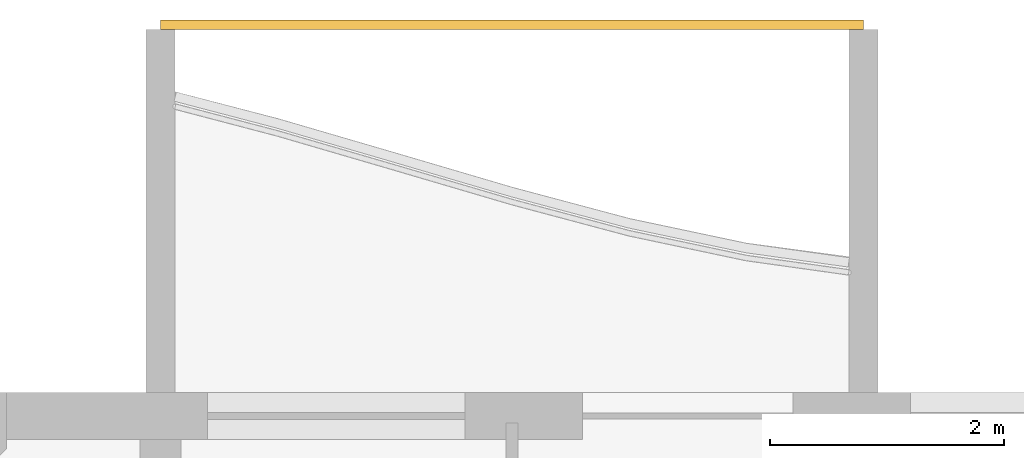
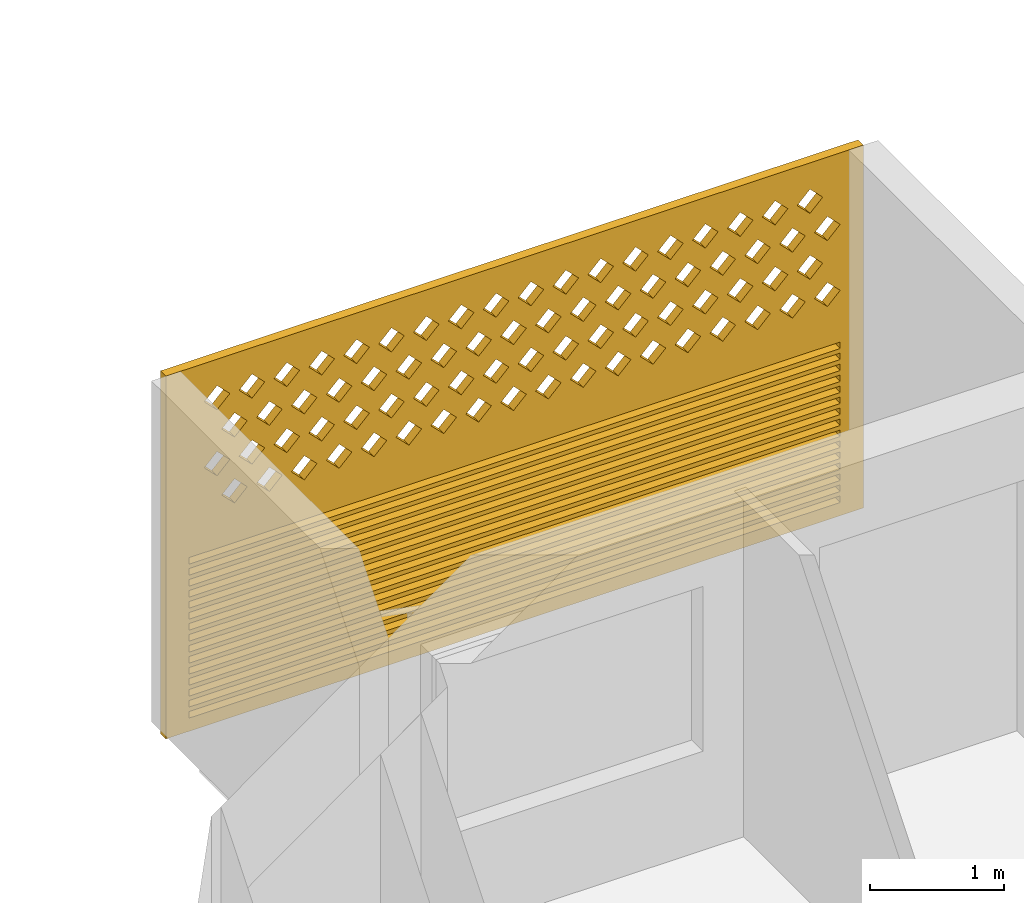
# One storey, part 19 of 30: 1 covering.
"""IFC4 building model written with IfcOpenShell, lengths in metres."""

from ifc_helpers import new_model, si_unit, direction, frame, origin, place, context, subcontext, project, spatial, polyline, outline, extrude, source, transform, mapped, material, material_profile, profile_set, type_object, element, save


model = new_model("IFC4")

# Units and contexts
model_context = context("Model", 3, precision=1e-05, world=origin(), true_north=direction((0.0, 1.0)))
body_context = subcontext(model_context, "Body", "Model", "MODEL_VIEW")
ifc_project = project(units=[si_unit("LENGTHUNIT", "METRE"), si_unit("AREAUNIT", "SQUARE_METRE"), si_unit("VOLUMEUNIT", "CUBIC_METRE"), si_unit("PLANEANGLEUNIT", "RADIAN"), si_unit("MASSUNIT", "GRAM", prefix="KILO")], contexts=[model_context])

# Site, building, storey
site_placement = place(None, origin())
site = spatial("IfcSite", under=ifc_project, at=site_placement, CompositionType="ELEMENT")
building_placement = place(site_placement, origin())
building = spatial("IfcBuilding", under=site, at=building_placement, Name="Poui Terraces", CompositionType="ELEMENT")
storey_placement = place(building_placement, frame((0.0, 0.0, 99.300048828125)))
storey = spatial("IfcBuildingStorey", under=building, at=storey_placement, Name="L27", CompositionType="ELEMENT", Elevation=99.300048828125)

# Covering
ifc_material = material(Name="Terracotta screen", Category="masonry")
ifc_material_profile = material_profile(ifc_material, outline(polyline([(-3.0, -1.64990234375), (3.0, -1.64990234375), (3.0, 1.64990234375), (-3.0, 1.64990234375), (-3.0, -1.64990234375)]), holes=[polyline([(-2.800048828125, 0.39990234375), (-2.68994140625, 0.2900390625), (-2.580078125, 0.39990234375), (-2.68994140625, 0.510009765625), (-2.800048828125, 0.39990234375)]), polyline([(-2.5, 0.39990234375), (-2.389892578125, 0.2900390625), (-2.280029296875, 0.39990234375), (-2.389892578125, 0.510009765625), (-2.5, 0.39990234375)]), polyline([(-2.199951171875, 0.39990234375), (-2.090087890625, 0.2900390625), (-1.97998046875, 0.39990234375), (-2.090087890625, 0.510009765625), (-2.199951171875, 0.39990234375)]), polyline([(-1.89990234375, 0.39990234375), (-1.7900390625, 0.2900390625), (-1.679931640625, 0.39990234375), (-1.7900390625, 0.510009765625), (-1.89990234375, 0.39990234375)]), polyline([(-1.60009765625, 0.39990234375), (-1.489990234375, 0.2900390625), (-1.3798828125, 0.39990234375), (-1.489990234375, 0.510009765625), (-1.60009765625, 0.39990234375)]), polyline([(-1.300048828125, 0.39990234375), (-1.18994140625, 0.2900390625), (-1.080078125, 0.39990234375), (-1.18994140625, 0.510009765625), (-1.300048828125, 0.39990234375)]), polyline([(-1.0, 0.39990234375), (-0.889892578125, 0.2900390625), (-0.780029296875, 0.39990234375), (-0.889892578125, 0.510009765625), (-1.0, 0.39990234375)]), polyline([(-0.699951171875, 0.39990234375), (-0.590087890625, 0.2900390625), (-0.47998046875, 0.39990234375), (-0.590087890625, 0.510009765625), (-0.699951171875, 0.39990234375)]), polyline([(-0.39990234375, 0.39990234375), (-0.2900390625, 0.2900390625), (-0.179931640625, 0.39990234375), (-0.2900390625, 0.510009765625), (-0.39990234375, 0.39990234375)]), polyline([(-0.10009765625, 0.39990234375), (0.010009765625, 0.2900390625), (0.1201171875, 0.39990234375), (0.010009765625, 0.510009765625), (-0.10009765625, 0.39990234375)]), polyline([(0.199951171875, 0.39990234375), (0.31005859375, 0.2900390625), (0.419921875, 0.39990234375), (0.31005859375, 0.510009765625), (0.199951171875, 0.39990234375)]), polyline([(0.5, 0.39990234375), (0.610107421875, 0.2900390625), (0.719970703125, 0.39990234375), (0.610107421875, 0.510009765625), (0.5, 0.39990234375)]), polyline([(0.800048828125, 0.39990234375), (0.909912109375, 0.2900390625), (1.02001953125, 0.39990234375), (0.909912109375, 0.510009765625), (0.800048828125, 0.39990234375)]), polyline([(1.10009765625, 0.39990234375), (1.2099609375, 0.2900390625), (1.320068359375, 0.39990234375), (1.2099609375, 0.510009765625), (1.10009765625, 0.39990234375)]), polyline([(1.39990234375, 0.39990234375), (1.510009765625, 0.2900390625), (1.6201171875, 0.39990234375), (1.510009765625, 0.510009765625), (1.39990234375, 0.39990234375)]), polyline([(1.699951171875, 0.39990234375), (1.81005859375, 0.2900390625), (1.919921875, 0.39990234375), (1.81005859375, 0.510009765625), (1.699951171875, 0.39990234375)]), polyline([(2.0, 0.39990234375), (2.110107421875, 0.2900390625), (2.219970703125, 0.39990234375), (2.110107421875, 0.510009765625), (2.0, 0.39990234375)]), polyline([(2.300048828125, 0.39990234375), (2.409912109375, 0.2900390625), (2.52001953125, 0.39990234375), (2.409912109375, 0.510009765625), (2.300048828125, 0.39990234375)]), polyline([(-2.64990234375, 0.699951171875), (-2.5400390625, 0.590087890625), (-2.429931640625, 0.699951171875), (-2.5400390625, 0.81005859375), (-2.64990234375, 0.699951171875)]), polyline([(-2.35009765625, 0.699951171875), (-2.239990234375, 0.590087890625), (-2.1298828125, 0.699951171875), (-2.239990234375, 0.81005859375), (-2.35009765625, 0.699951171875)]), polyline([(-2.050048828125, 0.699951171875), (-1.93994140625, 0.590087890625), (-1.830078125, 0.699951171875), (-1.93994140625, 0.81005859375), (-2.050048828125, 0.699951171875)]), polyline([(-1.75, 0.699951171875), (-1.639892578125, 0.590087890625), (-1.530029296875, 0.699951171875), (-1.639892578125, 0.81005859375), (-1.75, 0.699951171875)]), polyline([(-1.449951171875, 0.699951171875), (-1.340087890625, 0.590087890625), (-1.22998046875, 0.699951171875), (-1.340087890625, 0.81005859375), (-1.449951171875, 0.699951171875)]), polyline([(-1.14990234375, 0.699951171875), (-1.0400390625, 0.590087890625), (-0.929931640625, 0.699951171875), (-1.0400390625, 0.81005859375), (-1.14990234375, 0.699951171875)]), polyline([(-0.85009765625, 0.699951171875), (-0.739990234375, 0.590087890625), (-0.6298828125, 0.699951171875), (-0.739990234375, 0.81005859375), (-0.85009765625, 0.699951171875)]), polyline([(-0.550048828125, 0.699951171875), (-0.43994140625, 0.590087890625), (-0.330078125, 0.699951171875), (-0.43994140625, 0.81005859375), (-0.550048828125, 0.699951171875)]), polyline([(-0.25, 0.699951171875), (-0.139892578125, 0.590087890625), (-0.030029296875, 0.699951171875), (-0.139892578125, 0.81005859375), (-0.25, 0.699951171875)]), polyline([(0.050048828125, 0.699951171875), (0.159912109375, 0.590087890625), (0.27001953125, 0.699951171875), (0.159912109375, 0.81005859375), (0.050048828125, 0.699951171875)]), polyline([(0.35009765625, 0.699951171875), (0.4599609375, 0.590087890625), (0.570068359375, 0.699951171875), (0.4599609375, 0.81005859375), (0.35009765625, 0.699951171875)]), polyline([(0.64990234375, 0.699951171875), (0.760009765625, 0.590087890625), (0.8701171875, 0.699951171875), (0.760009765625, 0.81005859375), (0.64990234375, 0.699951171875)]), polyline([(0.949951171875, 0.699951171875), (1.06005859375, 0.590087890625), (1.169921875, 0.699951171875), (1.06005859375, 0.81005859375), (0.949951171875, 0.699951171875)]), polyline([(1.25, 0.699951171875), (1.360107421875, 0.590087890625), (1.469970703125, 0.699951171875), (1.360107421875, 0.81005859375), (1.25, 0.699951171875)]), polyline([(1.550048828125, 0.699951171875), (1.659912109375, 0.590087890625), (1.77001953125, 0.699951171875), (1.659912109375, 0.81005859375), (1.550048828125, 0.699951171875)]), polyline([(1.85009765625, 0.699951171875), (1.9599609375, 0.590087890625), (2.070068359375, 0.699951171875), (1.9599609375, 0.81005859375), (1.85009765625, 0.699951171875)]), polyline([(2.14990234375, 0.699951171875), (2.260009765625, 0.590087890625), (2.3701171875, 0.699951171875), (2.260009765625, 0.81005859375), (2.14990234375, 0.699951171875)]), polyline([(2.449951171875, 0.699951171875), (2.56005859375, 0.590087890625), (2.669921875, 0.699951171875), (2.56005859375, 0.81005859375), (2.449951171875, 0.699951171875)]), polyline([(-2.800048828125, 1.0), (-2.68994140625, 0.889892578125), (-2.580078125, 1.0), (-2.68994140625, 1.110107421875), (-2.800048828125, 1.0)]), polyline([(-2.5, 1.0), (-2.389892578125, 0.889892578125), (-2.280029296875, 1.0), (-2.389892578125, 1.110107421875), (-2.5, 1.0)]), polyline([(-2.199951171875, 1.0), (-2.090087890625, 0.889892578125), (-1.97998046875, 1.0), (-2.090087890625, 1.110107421875), (-2.199951171875, 1.0)]), polyline([(-1.89990234375, 1.0), (-1.7900390625, 0.889892578125), (-1.679931640625, 1.0), (-1.7900390625, 1.110107421875), (-1.89990234375, 1.0)]), polyline([(-1.60009765625, 1.0), (-1.489990234375, 0.889892578125), (-1.3798828125, 1.0), (-1.489990234375, 1.110107421875), (-1.60009765625, 1.0)]), polyline([(-1.300048828125, 1.0), (-1.18994140625, 0.889892578125), (-1.080078125, 1.0), (-1.18994140625, 1.110107421875), (-1.300048828125, 1.0)]), polyline([(-1.0, 1.0), (-0.889892578125, 0.889892578125), (-0.780029296875, 1.0), (-0.889892578125, 1.110107421875), (-1.0, 1.0)]), polyline([(-0.699951171875, 1.0), (-0.590087890625, 0.889892578125), (-0.47998046875, 1.0), (-0.590087890625, 1.110107421875), (-0.699951171875, 1.0)]), polyline([(-0.39990234375, 1.0), (-0.2900390625, 0.889892578125), (-0.179931640625, 1.0), (-0.2900390625, 1.110107421875), (-0.39990234375, 1.0)]), polyline([(-0.10009765625, 1.0), (0.010009765625, 0.889892578125), (0.1201171875, 1.0), (0.010009765625, 1.110107421875), (-0.10009765625, 1.0)]), polyline([(0.199951171875, 1.0), (0.31005859375, 0.889892578125), (0.419921875, 1.0), (0.31005859375, 1.110107421875), (0.199951171875, 1.0)]), polyline([(0.5, 1.0), (0.610107421875, 0.889892578125), (0.719970703125, 1.0), (0.610107421875, 1.110107421875), (0.5, 1.0)]), polyline([(0.800048828125, 1.0), (0.909912109375, 0.889892578125), (1.02001953125, 1.0), (0.909912109375, 1.110107421875), (0.800048828125, 1.0)]), polyline([(1.10009765625, 1.0), (1.2099609375, 0.889892578125), (1.320068359375, 1.0), (1.2099609375, 1.110107421875), (1.10009765625, 1.0)]), polyline([(1.39990234375, 1.0), (1.510009765625, 0.889892578125), (1.6201171875, 1.0), (1.510009765625, 1.110107421875), (1.39990234375, 1.0)]), polyline([(1.699951171875, 1.0), (1.81005859375, 0.889892578125), (1.919921875, 1.0), (1.81005859375, 1.110107421875), (1.699951171875, 1.0)]), polyline([(2.0, 1.0), (2.110107421875, 0.889892578125), (2.219970703125, 1.0), (2.110107421875, 1.110107421875), (2.0, 1.0)]), polyline([(2.300048828125, 1.0), (2.409912109375, 0.889892578125), (2.52001953125, 1.0), (2.409912109375, 1.110107421875), (2.300048828125, 1.0)]), polyline([(-2.64990234375, 1.300048828125), (-2.5400390625, 1.18994140625), (-2.429931640625, 1.300048828125), (-2.5400390625, 1.409912109375), (-2.64990234375, 1.300048828125)]), polyline([(-2.35009765625, 1.300048828125), (-2.239990234375, 1.18994140625), (-2.1298828125, 1.300048828125), (-2.239990234375, 1.409912109375), (-2.35009765625, 1.300048828125)]), polyline([(-2.050048828125, 1.300048828125), (-1.93994140625, 1.18994140625), (-1.830078125, 1.300048828125), (-1.93994140625, 1.409912109375), (-2.050048828125, 1.300048828125)]), polyline([(-1.75, 1.300048828125), (-1.639892578125, 1.18994140625), (-1.530029296875, 1.300048828125), (-1.639892578125, 1.409912109375), (-1.75, 1.300048828125)]), polyline([(-1.449951171875, 1.300048828125), (-1.340087890625, 1.18994140625), (-1.22998046875, 1.300048828125), (-1.340087890625, 1.409912109375), (-1.449951171875, 1.300048828125)]), polyline([(-1.14990234375, 1.300048828125), (-1.0400390625, 1.18994140625), (-0.929931640625, 1.300048828125), (-1.0400390625, 1.409912109375), (-1.14990234375, 1.300048828125)]), polyline([(-0.85009765625, 1.300048828125), (-0.739990234375, 1.18994140625), (-0.6298828125, 1.300048828125), (-0.739990234375, 1.409912109375), (-0.85009765625, 1.300048828125)]), polyline([(-0.550048828125, 1.300048828125), (-0.43994140625, 1.18994140625), (-0.330078125, 1.300048828125), (-0.43994140625, 1.409912109375), (-0.550048828125, 1.300048828125)]), polyline([(-0.25, 1.300048828125), (-0.139892578125, 1.18994140625), (-0.030029296875, 1.300048828125), (-0.139892578125, 1.409912109375), (-0.25, 1.300048828125)]), polyline([(0.050048828125, 1.300048828125), (0.159912109375, 1.18994140625), (0.27001953125, 1.300048828125), (0.159912109375, 1.409912109375), (0.050048828125, 1.300048828125)]), polyline([(0.35009765625, 1.300048828125), (0.4599609375, 1.18994140625), (0.570068359375, 1.300048828125), (0.4599609375, 1.409912109375), (0.35009765625, 1.300048828125)]), polyline([(0.64990234375, 1.300048828125), (0.760009765625, 1.18994140625), (0.8701171875, 1.300048828125), (0.760009765625, 1.409912109375), (0.64990234375, 1.300048828125)]), polyline([(0.949951171875, 1.300048828125), (1.06005859375, 1.18994140625), (1.169921875, 1.300048828125), (1.06005859375, 1.409912109375), (0.949951171875, 1.300048828125)]), polyline([(1.25, 1.300048828125), (1.360107421875, 1.18994140625), (1.469970703125, 1.300048828125), (1.360107421875, 1.409912109375), (1.25, 1.300048828125)]), polyline([(1.550048828125, 1.300048828125), (1.659912109375, 1.18994140625), (1.77001953125, 1.300048828125), (1.659912109375, 1.409912109375), (1.550048828125, 1.300048828125)]), polyline([(1.85009765625, 1.300048828125), (1.9599609375, 1.18994140625), (2.070068359375, 1.300048828125), (1.9599609375, 1.409912109375), (1.85009765625, 1.300048828125)]), polyline([(2.14990234375, 1.300048828125), (2.260009765625, 1.18994140625), (2.3701171875, 1.300048828125), (2.260009765625, 1.409912109375), (2.14990234375, 1.300048828125)]), polyline([(2.449951171875, 1.300048828125), (2.56005859375, 1.18994140625), (2.669921875, 1.300048828125), (2.56005859375, 1.409912109375), (2.449951171875, 1.300048828125)]), polyline([(-2.800048828125, -1.530029296875), (2.800048828125, -1.530029296875), (2.800048828125, -1.469970703125), (-2.800048828125, -1.469970703125), (-2.800048828125, -1.530029296875)]), polyline([(-2.800048828125, -1.429931640625), (2.800048828125, -1.429931640625), (2.800048828125, -1.3701171875), (-2.800048828125, -1.3701171875), (-2.800048828125, -1.429931640625)]), polyline([(-2.800048828125, -1.330078125), (2.800048828125, -1.330078125), (2.800048828125, -1.27001953125), (-2.800048828125, -1.27001953125), (-2.800048828125, -1.330078125)]), polyline([(-2.800048828125, -1.22998046875), (2.800048828125, -1.22998046875), (2.800048828125, -1.169921875), (-2.800048828125, -1.169921875), (-2.800048828125, -1.22998046875)]), polyline([(-2.800048828125, -1.1298828125), (2.800048828125, -1.1298828125), (2.800048828125, -1.070068359375), (-2.800048828125, -1.070068359375), (-2.800048828125, -1.1298828125)]), polyline([(-2.800048828125, -1.030029296875), (2.800048828125, -1.030029296875), (2.800048828125, -0.969970703125), (-2.800048828125, -0.969970703125), (-2.800048828125, -1.030029296875)]), polyline([(-2.800048828125, -0.929931640625), (2.800048828125, -0.929931640625), (2.800048828125, -0.8701171875), (-2.800048828125, -0.8701171875), (-2.800048828125, -0.929931640625)]), polyline([(-2.800048828125, -0.830078125), (2.800048828125, -0.830078125), (2.800048828125, -0.77001953125), (-2.800048828125, -0.77001953125), (-2.800048828125, -0.830078125)]), polyline([(-2.800048828125, -0.72998046875), (2.800048828125, -0.72998046875), (2.800048828125, -0.669921875), (-2.800048828125, -0.669921875), (-2.800048828125, -0.72998046875)]), polyline([(-2.800048828125, -0.6298828125), (2.800048828125, -0.6298828125), (2.800048828125, -0.570068359375), (-2.800048828125, -0.570068359375), (-2.800048828125, -0.6298828125)]), polyline([(-2.800048828125, -0.530029296875), (2.800048828125, -0.530029296875), (2.800048828125, -0.469970703125), (-2.800048828125, -0.469970703125), (-2.800048828125, -0.530029296875)]), polyline([(-2.800048828125, -0.429931640625), (2.800048828125, -0.429931640625), (2.800048828125, -0.3701171875), (-2.800048828125, -0.3701171875), (-2.800048828125, -0.429931640625)]), polyline([(-2.800048828125, -0.330078125), (2.800048828125, -0.330078125), (2.800048828125, -0.27001953125), (-2.800048828125, -0.27001953125), (-2.800048828125, -0.330078125)]), polyline([(-2.800048828125, -0.22998046875), (2.800048828125, -0.22998046875), (2.800048828125, -0.169921875), (-2.800048828125, -0.169921875), (-2.800048828125, -0.22998046875)]), polyline([(-2.800048828125, -0.1298828125), (2.800048828125, -0.1298828125), (2.800048828125, -0.070068359375), (-2.800048828125, -0.070068359375), (-2.800048828125, -0.1298828125)])]), Name="TERRACOTTA SCREEN AND JALOUSIE LOUVRE 6000X3300")
ifc_profile_set = profile_set([ifc_material_profile], Name="Terracotta screen")
covering_type = type_object("IfcCoveringType", Name="TERRACOTTA SCREEN AND JALOUSIE LOUVRE 6000X3300", PredefinedType="CLADDING", material=ifc_profile_set)
shared_shape = source(origin(), body_context, "Body", "SweptSolid", [
    extrude(outline(polyline([(-3.0, -1.64990234375), (3.0, -1.64990234375), (3.0, 1.64990234375), (-3.0, 1.64990234375), (-3.0, -1.64990234375)]), holes=[polyline([(-2.800048828125, 0.39990234375), (-2.68994140625, 0.2900390625), (-2.580078125, 0.39990234375), (-2.68994140625, 0.510009765625), (-2.800048828125, 0.39990234375)]), polyline([(-2.5, 0.39990234375), (-2.389892578125, 0.2900390625), (-2.280029296875, 0.39990234375), (-2.389892578125, 0.510009765625), (-2.5, 0.39990234375)]), polyline([(-2.199951171875, 0.39990234375), (-2.090087890625, 0.2900390625), (-1.97998046875, 0.39990234375), (-2.090087890625, 0.510009765625), (-2.199951171875, 0.39990234375)]), polyline([(-1.89990234375, 0.39990234375), (-1.7900390625, 0.2900390625), (-1.679931640625, 0.39990234375), (-1.7900390625, 0.510009765625), (-1.89990234375, 0.39990234375)]), polyline([(-1.60009765625, 0.39990234375), (-1.489990234375, 0.2900390625), (-1.3798828125, 0.39990234375), (-1.489990234375, 0.510009765625), (-1.60009765625, 0.39990234375)]), polyline([(-1.300048828125, 0.39990234375), (-1.18994140625, 0.2900390625), (-1.080078125, 0.39990234375), (-1.18994140625, 0.510009765625), (-1.300048828125, 0.39990234375)]), polyline([(-1.0, 0.39990234375), (-0.889892578125, 0.2900390625), (-0.780029296875, 0.39990234375), (-0.889892578125, 0.510009765625), (-1.0, 0.39990234375)]), polyline([(-0.699951171875, 0.39990234375), (-0.590087890625, 0.2900390625), (-0.47998046875, 0.39990234375), (-0.590087890625, 0.510009765625), (-0.699951171875, 0.39990234375)]), polyline([(-0.39990234375, 0.39990234375), (-0.2900390625, 0.2900390625), (-0.179931640625, 0.39990234375), (-0.2900390625, 0.510009765625), (-0.39990234375, 0.39990234375)]), polyline([(-0.10009765625, 0.39990234375), (0.010009765625, 0.2900390625), (0.1201171875, 0.39990234375), (0.010009765625, 0.510009765625), (-0.10009765625, 0.39990234375)]), polyline([(0.199951171875, 0.39990234375), (0.31005859375, 0.2900390625), (0.419921875, 0.39990234375), (0.31005859375, 0.510009765625), (0.199951171875, 0.39990234375)]), polyline([(0.5, 0.39990234375), (0.610107421875, 0.2900390625), (0.719970703125, 0.39990234375), (0.610107421875, 0.510009765625), (0.5, 0.39990234375)]), polyline([(0.800048828125, 0.39990234375), (0.909912109375, 0.2900390625), (1.02001953125, 0.39990234375), (0.909912109375, 0.510009765625), (0.800048828125, 0.39990234375)]), polyline([(1.10009765625, 0.39990234375), (1.2099609375, 0.2900390625), (1.320068359375, 0.39990234375), (1.2099609375, 0.510009765625), (1.10009765625, 0.39990234375)]), polyline([(1.39990234375, 0.39990234375), (1.510009765625, 0.2900390625), (1.6201171875, 0.39990234375), (1.510009765625, 0.510009765625), (1.39990234375, 0.39990234375)]), polyline([(1.699951171875, 0.39990234375), (1.81005859375, 0.2900390625), (1.919921875, 0.39990234375), (1.81005859375, 0.510009765625), (1.699951171875, 0.39990234375)]), polyline([(2.0, 0.39990234375), (2.110107421875, 0.2900390625), (2.219970703125, 0.39990234375), (2.110107421875, 0.510009765625), (2.0, 0.39990234375)]), polyline([(2.300048828125, 0.39990234375), (2.409912109375, 0.2900390625), (2.52001953125, 0.39990234375), (2.409912109375, 0.510009765625), (2.300048828125, 0.39990234375)]), polyline([(-2.64990234375, 0.699951171875), (-2.5400390625, 0.590087890625), (-2.429931640625, 0.699951171875), (-2.5400390625, 0.81005859375), (-2.64990234375, 0.699951171875)]), polyline([(-2.35009765625, 0.699951171875), (-2.239990234375, 0.590087890625), (-2.1298828125, 0.699951171875), (-2.239990234375, 0.81005859375), (-2.35009765625, 0.699951171875)]), polyline([(-2.050048828125, 0.699951171875), (-1.93994140625, 0.590087890625), (-1.830078125, 0.699951171875), (-1.93994140625, 0.81005859375), (-2.050048828125, 0.699951171875)]), polyline([(-1.75, 0.699951171875), (-1.639892578125, 0.590087890625), (-1.530029296875, 0.699951171875), (-1.639892578125, 0.81005859375), (-1.75, 0.699951171875)]), polyline([(-1.449951171875, 0.699951171875), (-1.340087890625, 0.590087890625), (-1.22998046875, 0.699951171875), (-1.340087890625, 0.81005859375), (-1.449951171875, 0.699951171875)]), polyline([(-1.14990234375, 0.699951171875), (-1.0400390625, 0.590087890625), (-0.929931640625, 0.699951171875), (-1.0400390625, 0.81005859375), (-1.14990234375, 0.699951171875)]), polyline([(-0.85009765625, 0.699951171875), (-0.739990234375, 0.590087890625), (-0.6298828125, 0.699951171875), (-0.739990234375, 0.81005859375), (-0.85009765625, 0.699951171875)]), polyline([(-0.550048828125, 0.699951171875), (-0.43994140625, 0.590087890625), (-0.330078125, 0.699951171875), (-0.43994140625, 0.81005859375), (-0.550048828125, 0.699951171875)]), polyline([(-0.25, 0.699951171875), (-0.139892578125, 0.590087890625), (-0.030029296875, 0.699951171875), (-0.139892578125, 0.81005859375), (-0.25, 0.699951171875)]), polyline([(0.050048828125, 0.699951171875), (0.159912109375, 0.590087890625), (0.27001953125, 0.699951171875), (0.159912109375, 0.81005859375), (0.050048828125, 0.699951171875)]), polyline([(0.35009765625, 0.699951171875), (0.4599609375, 0.590087890625), (0.570068359375, 0.699951171875), (0.4599609375, 0.81005859375), (0.35009765625, 0.699951171875)]), polyline([(0.64990234375, 0.699951171875), (0.760009765625, 0.590087890625), (0.8701171875, 0.699951171875), (0.760009765625, 0.81005859375), (0.64990234375, 0.699951171875)]), polyline([(0.949951171875, 0.699951171875), (1.06005859375, 0.590087890625), (1.169921875, 0.699951171875), (1.06005859375, 0.81005859375), (0.949951171875, 0.699951171875)]), polyline([(1.25, 0.699951171875), (1.360107421875, 0.590087890625), (1.469970703125, 0.699951171875), (1.360107421875, 0.81005859375), (1.25, 0.699951171875)]), polyline([(1.550048828125, 0.699951171875), (1.659912109375, 0.590087890625), (1.77001953125, 0.699951171875), (1.659912109375, 0.81005859375), (1.550048828125, 0.699951171875)]), polyline([(1.85009765625, 0.699951171875), (1.9599609375, 0.590087890625), (2.070068359375, 0.699951171875), (1.9599609375, 0.81005859375), (1.85009765625, 0.699951171875)]), polyline([(2.14990234375, 0.699951171875), (2.260009765625, 0.590087890625), (2.3701171875, 0.699951171875), (2.260009765625, 0.81005859375), (2.14990234375, 0.699951171875)]), polyline([(2.449951171875, 0.699951171875), (2.56005859375, 0.590087890625), (2.669921875, 0.699951171875), (2.56005859375, 0.81005859375), (2.449951171875, 0.699951171875)]), polyline([(-2.800048828125, 1.0), (-2.68994140625, 0.889892578125), (-2.580078125, 1.0), (-2.68994140625, 1.110107421875), (-2.800048828125, 1.0)]), polyline([(-2.5, 1.0), (-2.389892578125, 0.889892578125), (-2.280029296875, 1.0), (-2.389892578125, 1.110107421875), (-2.5, 1.0)]), polyline([(-2.199951171875, 1.0), (-2.090087890625, 0.889892578125), (-1.97998046875, 1.0), (-2.090087890625, 1.110107421875), (-2.199951171875, 1.0)]), polyline([(-1.89990234375, 1.0), (-1.7900390625, 0.889892578125), (-1.679931640625, 1.0), (-1.7900390625, 1.110107421875), (-1.89990234375, 1.0)]), polyline([(-1.60009765625, 1.0), (-1.489990234375, 0.889892578125), (-1.3798828125, 1.0), (-1.489990234375, 1.110107421875), (-1.60009765625, 1.0)]), polyline([(-1.300048828125, 1.0), (-1.18994140625, 0.889892578125), (-1.080078125, 1.0), (-1.18994140625, 1.110107421875), (-1.300048828125, 1.0)]), polyline([(-1.0, 1.0), (-0.889892578125, 0.889892578125), (-0.780029296875, 1.0), (-0.889892578125, 1.110107421875), (-1.0, 1.0)]), polyline([(-0.699951171875, 1.0), (-0.590087890625, 0.889892578125), (-0.47998046875, 1.0), (-0.590087890625, 1.110107421875), (-0.699951171875, 1.0)]), polyline([(-0.39990234375, 1.0), (-0.2900390625, 0.889892578125), (-0.179931640625, 1.0), (-0.2900390625, 1.110107421875), (-0.39990234375, 1.0)]), polyline([(-0.10009765625, 1.0), (0.010009765625, 0.889892578125), (0.1201171875, 1.0), (0.010009765625, 1.110107421875), (-0.10009765625, 1.0)]), polyline([(0.199951171875, 1.0), (0.31005859375, 0.889892578125), (0.419921875, 1.0), (0.31005859375, 1.110107421875), (0.199951171875, 1.0)]), polyline([(0.5, 1.0), (0.610107421875, 0.889892578125), (0.719970703125, 1.0), (0.610107421875, 1.110107421875), (0.5, 1.0)]), polyline([(0.800048828125, 1.0), (0.909912109375, 0.889892578125), (1.02001953125, 1.0), (0.909912109375, 1.110107421875), (0.800048828125, 1.0)]), polyline([(1.10009765625, 1.0), (1.2099609375, 0.889892578125), (1.320068359375, 1.0), (1.2099609375, 1.110107421875), (1.10009765625, 1.0)]), polyline([(1.39990234375, 1.0), (1.510009765625, 0.889892578125), (1.6201171875, 1.0), (1.510009765625, 1.110107421875), (1.39990234375, 1.0)]), polyline([(1.699951171875, 1.0), (1.81005859375, 0.889892578125), (1.919921875, 1.0), (1.81005859375, 1.110107421875), (1.699951171875, 1.0)]), polyline([(2.0, 1.0), (2.110107421875, 0.889892578125), (2.219970703125, 1.0), (2.110107421875, 1.110107421875), (2.0, 1.0)]), polyline([(2.300048828125, 1.0), (2.409912109375, 0.889892578125), (2.52001953125, 1.0), (2.409912109375, 1.110107421875), (2.300048828125, 1.0)]), polyline([(-2.64990234375, 1.300048828125), (-2.5400390625, 1.18994140625), (-2.429931640625, 1.300048828125), (-2.5400390625, 1.409912109375), (-2.64990234375, 1.300048828125)]), polyline([(-2.35009765625, 1.300048828125), (-2.239990234375, 1.18994140625), (-2.1298828125, 1.300048828125), (-2.239990234375, 1.409912109375), (-2.35009765625, 1.300048828125)]), polyline([(-2.050048828125, 1.300048828125), (-1.93994140625, 1.18994140625), (-1.830078125, 1.300048828125), (-1.93994140625, 1.409912109375), (-2.050048828125, 1.300048828125)]), polyline([(-1.75, 1.300048828125), (-1.639892578125, 1.18994140625), (-1.530029296875, 1.300048828125), (-1.639892578125, 1.409912109375), (-1.75, 1.300048828125)]), polyline([(-1.449951171875, 1.300048828125), (-1.340087890625, 1.18994140625), (-1.22998046875, 1.300048828125), (-1.340087890625, 1.409912109375), (-1.449951171875, 1.300048828125)]), polyline([(-1.14990234375, 1.300048828125), (-1.0400390625, 1.18994140625), (-0.929931640625, 1.300048828125), (-1.0400390625, 1.409912109375), (-1.14990234375, 1.300048828125)]), polyline([(-0.85009765625, 1.300048828125), (-0.739990234375, 1.18994140625), (-0.6298828125, 1.300048828125), (-0.739990234375, 1.409912109375), (-0.85009765625, 1.300048828125)]), polyline([(-0.550048828125, 1.300048828125), (-0.43994140625, 1.18994140625), (-0.330078125, 1.300048828125), (-0.43994140625, 1.409912109375), (-0.550048828125, 1.300048828125)]), polyline([(-0.25, 1.300048828125), (-0.139892578125, 1.18994140625), (-0.030029296875, 1.300048828125), (-0.139892578125, 1.409912109375), (-0.25, 1.300048828125)]), polyline([(0.050048828125, 1.300048828125), (0.159912109375, 1.18994140625), (0.27001953125, 1.300048828125), (0.159912109375, 1.409912109375), (0.050048828125, 1.300048828125)]), polyline([(0.35009765625, 1.300048828125), (0.4599609375, 1.18994140625), (0.570068359375, 1.300048828125), (0.4599609375, 1.409912109375), (0.35009765625, 1.300048828125)]), polyline([(0.64990234375, 1.300048828125), (0.760009765625, 1.18994140625), (0.8701171875, 1.300048828125), (0.760009765625, 1.409912109375), (0.64990234375, 1.300048828125)]), polyline([(0.949951171875, 1.300048828125), (1.06005859375, 1.18994140625), (1.169921875, 1.300048828125), (1.06005859375, 1.409912109375), (0.949951171875, 1.300048828125)]), polyline([(1.25, 1.300048828125), (1.360107421875, 1.18994140625), (1.469970703125, 1.300048828125), (1.360107421875, 1.409912109375), (1.25, 1.300048828125)]), polyline([(1.550048828125, 1.300048828125), (1.659912109375, 1.18994140625), (1.77001953125, 1.300048828125), (1.659912109375, 1.409912109375), (1.550048828125, 1.300048828125)]), polyline([(1.85009765625, 1.300048828125), (1.9599609375, 1.18994140625), (2.070068359375, 1.300048828125), (1.9599609375, 1.409912109375), (1.85009765625, 1.300048828125)]), polyline([(2.14990234375, 1.300048828125), (2.260009765625, 1.18994140625), (2.3701171875, 1.300048828125), (2.260009765625, 1.409912109375), (2.14990234375, 1.300048828125)]), polyline([(2.449951171875, 1.300048828125), (2.56005859375, 1.18994140625), (2.669921875, 1.300048828125), (2.56005859375, 1.409912109375), (2.449951171875, 1.300048828125)]), polyline([(-2.800048828125, -1.530029296875), (2.800048828125, -1.530029296875), (2.800048828125, -1.469970703125), (-2.800048828125, -1.469970703125), (-2.800048828125, -1.530029296875)]), polyline([(-2.800048828125, -1.429931640625), (2.800048828125, -1.429931640625), (2.800048828125, -1.3701171875), (-2.800048828125, -1.3701171875), (-2.800048828125, -1.429931640625)]), polyline([(-2.800048828125, -1.330078125), (2.800048828125, -1.330078125), (2.800048828125, -1.27001953125), (-2.800048828125, -1.27001953125), (-2.800048828125, -1.330078125)]), polyline([(-2.800048828125, -1.22998046875), (2.800048828125, -1.22998046875), (2.800048828125, -1.169921875), (-2.800048828125, -1.169921875), (-2.800048828125, -1.22998046875)]), polyline([(-2.800048828125, -1.1298828125), (2.800048828125, -1.1298828125), (2.800048828125, -1.070068359375), (-2.800048828125, -1.070068359375), (-2.800048828125, -1.1298828125)]), polyline([(-2.800048828125, -1.030029296875), (2.800048828125, -1.030029296875), (2.800048828125, -0.969970703125), (-2.800048828125, -0.969970703125), (-2.800048828125, -1.030029296875)]), polyline([(-2.800048828125, -0.929931640625), (2.800048828125, -0.929931640625), (2.800048828125, -0.8701171875), (-2.800048828125, -0.8701171875), (-2.800048828125, -0.929931640625)]), polyline([(-2.800048828125, -0.830078125), (2.800048828125, -0.830078125), (2.800048828125, -0.77001953125), (-2.800048828125, -0.77001953125), (-2.800048828125, -0.830078125)]), polyline([(-2.800048828125, -0.72998046875), (2.800048828125, -0.72998046875), (2.800048828125, -0.669921875), (-2.800048828125, -0.669921875), (-2.800048828125, -0.72998046875)]), polyline([(-2.800048828125, -0.6298828125), (2.800048828125, -0.6298828125), (2.800048828125, -0.570068359375), (-2.800048828125, -0.570068359375), (-2.800048828125, -0.6298828125)]), polyline([(-2.800048828125, -0.530029296875), (2.800048828125, -0.530029296875), (2.800048828125, -0.469970703125), (-2.800048828125, -0.469970703125), (-2.800048828125, -0.530029296875)]), polyline([(-2.800048828125, -0.429931640625), (2.800048828125, -0.429931640625), (2.800048828125, -0.3701171875), (-2.800048828125, -0.3701171875), (-2.800048828125, -0.429931640625)]), polyline([(-2.800048828125, -0.330078125), (2.800048828125, -0.330078125), (2.800048828125, -0.27001953125), (-2.800048828125, -0.27001953125), (-2.800048828125, -0.330078125)]), polyline([(-2.800048828125, -0.22998046875), (2.800048828125, -0.22998046875), (2.800048828125, -0.169921875), (-2.800048828125, -0.169921875), (-2.800048828125, -0.22998046875)]), polyline([(-2.800048828125, -0.1298828125), (2.800048828125, -0.1298828125), (2.800048828125, -0.070068359375), (-2.800048828125, -0.070068359375), (-2.800048828125, -0.1298828125)])]), origin(), (0.0, 0.0, 1.0), 0.080078125),
])
covering_placement = place(storey_placement, frame((15.0, 46.89990234375, 1.449951171875), z_axis=(0.0, 1.0, 0.0), x_axis=(-1.0, 0.0, 0.0)))
element("IfcCovering", 1, at=covering_placement, inside=storey, type_object=covering_type, Name="SOLAR SCREEN AND JALOUSIE LOUVRE", PredefinedType="CLADDING", context=body_context, shape_type="MappedRepresentation", body=[
    mapped(shared_shape, transform((0.0, 0.0, 0.0))),
])

save(model, "model.ifc")
